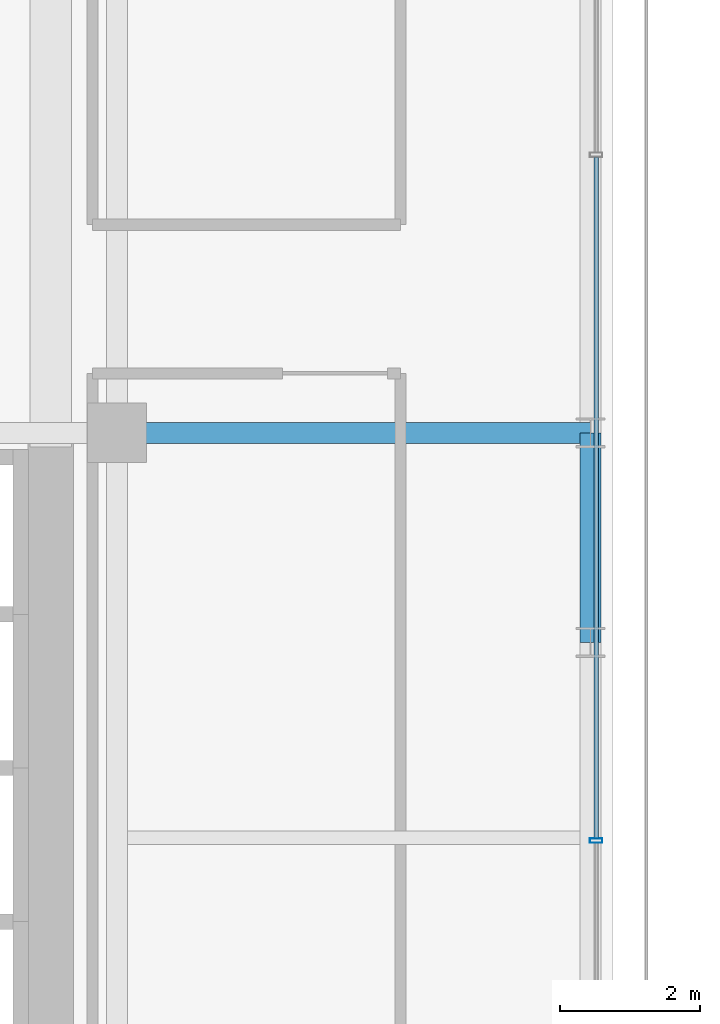
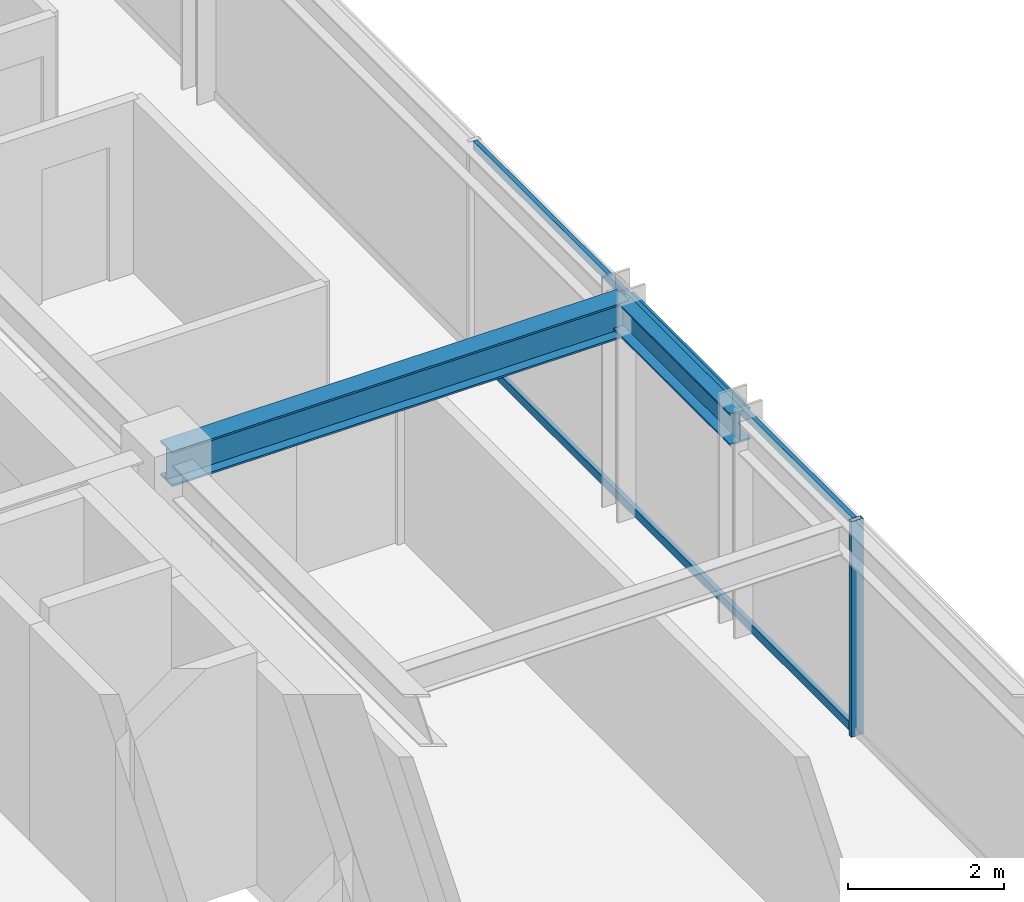
# One storey, part 14 of 34: 3 members, 2 beams, 1 element without a shape of its own.
"""IFC4 building model written with IfcOpenShell, lengths in metres."""

from ifc_helpers import new_model, si_unit, direction, frame, origin, origin_2d, place, context, subcontext, project, spatial, hollow_rectangle, i_section, extrude, source, transform, mapped, material, material_profile, profile_set, type_object, element, aggregate, save


model = new_model("IFC4")

# Units and contexts
model_context = context("Model", 3, precision=1e-05, world=origin(), true_north=direction((0.0, 1.0)))
body_context = subcontext(model_context, "Body", "Model", "MODEL_VIEW")
ifc_project = project(units=[si_unit("LENGTHUNIT", "METRE"), si_unit("AREAUNIT", "SQUARE_METRE"), si_unit("VOLUMEUNIT", "CUBIC_METRE"), si_unit("PLANEANGLEUNIT", "RADIAN"), si_unit("MASSUNIT", "GRAM", prefix="KILO")], contexts=[model_context])

# Site, building, storey
site_placement = place(None, origin())
site = spatial("IfcSite", under=ifc_project, at=site_placement, CompositionType="ELEMENT")
building_placement = place(site_placement, origin())
building = spatial("IfcBuilding", under=site, at=building_placement, Name="Nahalor Promenade Grand Hotel", CompositionType="ELEMENT")
storey_placement = place(building_placement, frame((0.0, 0.0, 88.300048828125)))
storey = spatial("IfcBuildingStorey", under=building, at=storey_placement, Name="L21", CompositionType="ELEMENT", Elevation=88.300048828125)

# Beams
ifc_material_1 = material(Name="Steel S355JR", Category="steel")
ifc_material_profile_1 = material_profile(ifc_material_1, i_section(OverallWidth=0.3, OverallDepth=0.5, WebThickness=0.0145, FlangeThickness=0.028, at=origin_2d()), Name="HEB 500")
ifc_profile_set_1 = profile_set([ifc_material_profile_1], Name="Steel S355JR")
beam_type_1 = type_object("IfcBeamType", Name="Beam-Spandrel-HEB500", PredefinedType="SPANDREL", material=ifc_profile_set_1)
shared_shape_1 = source(origin(), body_context, "Body", "SweptSolid", [
    extrude(i_section(OverallWidth=0.3, OverallDepth=0.5, WebThickness=0.0145, FlangeThickness=0.028, at=origin_2d()), origin(), (0.0, 0.0, 1.0), 3.0),
])
beam_1_placement = place(storey_placement, frame((23.780029296875, -8.39990234375, 3.1298828125), z_axis=(0.0, 1.0, 0.0), x_axis=(-1.0, 0.0, 0.0)))
element("IfcBeam", 1, at=beam_1_placement, inside=storey, type_object=beam_type_1, Name="BM-L21-SP-E-1", PredefinedType="SPANDREL", context=body_context, shape_type="MappedRepresentation", body=[
    mapped(shared_shape_1, transform((0.0, 0.0, 0.0), scale=1.0)),
])
ifc_material_profile_2 = material_profile(ifc_material_1, i_section(OverallWidth=0.3, OverallDepth=0.55, WebThickness=0.015, FlangeThickness=0.029, at=origin_2d()), Name="HEB 550")
ifc_profile_set_2 = profile_set([ifc_material_profile_2], Name="Steel S355JR")
beam_type_2 = type_object("IfcBeamType", Name="Beam-Girder-HEB550", PredefinedType="BEAM", material=ifc_profile_set_2)
shared_shape_2 = source(origin(), body_context, "Body", "SweptSolid", [
    extrude(i_section(OverallWidth=0.3, OverallDepth=0.55, WebThickness=0.015, FlangeThickness=0.029, at=origin_2d()), origin(), (0.0, 0.0, 1.0), 6.780029296875),
])
beam_2_placement = place(storey_placement, frame((17.0, -5.39990234375, 3.10498046875), z_axis=(1.0, 0.0, 0.0), x_axis=(0.0, 1.0, 0.0)))
element("IfcBeam", 2, at=beam_2_placement, inside=storey, type_object=beam_type_2, Name="BM-L21-GX-1-6", PredefinedType="BEAM", context=body_context, shape_type="MappedRepresentation", body=[
    mapped(shared_shape_2, transform((0.0, 0.0, 0.0), scale=1.0)),
])

# Curtain wall, members
ifc_material_2 = material(Name="Anodised Bronze Aluminium EN AW-6063 T6", Category="aluminium")
curtain_wall_type = type_object("IfcCurtainWallType", Name="CW2 Typical Hotel Flush Bronze Unitised Curtain Wall", PredefinedType="USERDEFINED", material=ifc_material_2)
curtain_wall_placement = place(storey_placement, origin())
curtain_wall = element("IfcCurtainWall", 3, at=curtain_wall_placement, inside=storey, type_object=curtain_wall_type, Name="L21 Curtain Wall CW-L21-E-1", ObjectType="UNITISED_CURTAIN_WALL", PredefinedType="USERDEFINED")
ifc_material_profile_3 = material_profile(ifc_material_2, hollow_rectangle(XDim=0.065, YDim=0.18, WallThickness=0.004, at=origin_2d()), Name="CWM 65x180x4")
ifc_profile_set_3 = profile_set([ifc_material_profile_3], Name="Anodised Bronze Aluminium EN AW-6063 T6")
member_type_1 = type_object("IfcMemberType", Name="CWM2 Typical Bronze Mullion 65x180", PredefinedType="MULLION", material=ifc_profile_set_3)
shared_shape_3 = source(origin(), body_context, "Body", "SweptSolid", [
    extrude(hollow_rectangle(XDim=0.065, YDim=0.18, WallThickness=0.004, at=origin_2d()), origin(), (0.0, 0.0, 1.0), 3.3798828125),
])
member_1_placement = place(storey_placement, frame((23.860107421875, -11.239990234375, 0.0), z_axis=(0.0, 0.0, 1.0), x_axis=(0.0, 1.0, 0.0)))
member_1 = element("IfcMember", 4, at=member_1_placement, type_object=member_type_1, Name="CW-L21-E-1 Mullion 1", PredefinedType="MULLION", context=body_context, shape_type="MappedRepresentation", body=[
    mapped(shared_shape_3, transform((0.0, 0.0, 0.0), scale=1.0)),
])
ifc_material_profile_4 = material_profile(ifc_material_2, hollow_rectangle(XDim=0.065, YDim=0.13, WallThickness=0.004, at=origin_2d()), Name="CWT 65x130x4")
ifc_profile_set_4 = profile_set([ifc_material_profile_4], Name="Anodised Bronze Aluminium EN AW-6063 T6")
member_type_2 = type_object("IfcMemberType", Name="CWT2 Typical Bronze Transom 65x130", PredefinedType="USERDEFINED", material=ifc_profile_set_4)
shared_shape_4 = source(origin(), body_context, "Body", "SweptSolid", [
    extrude(hollow_rectangle(XDim=0.065, YDim=0.13, WallThickness=0.004, at=origin_2d()), origin(), (0.0, 0.0, 1.0), 9.755126953125),
])
member_2_placement = place(storey_placement, frame((23.860107421875, -11.20751953125, 0.06494140625), z_axis=(0.0, 1.0, 0.0), x_axis=(-1.0, 0.0, 0.0)))
member_2 = element("IfcMember", 5, at=member_2_placement, type_object=member_type_2, Name="CW-L21-E-1 Transom 1-0", ObjectType="TRANSOM", PredefinedType="USERDEFINED", context=body_context, shape_type="MappedRepresentation", body=[
    mapped(shared_shape_4, transform((0.0, 0.0, 0.0), scale=1.0)),
])
member_3_placement = place(storey_placement, frame((23.860107421875, -11.20751953125, 3.31494140625), z_axis=(0.0, 1.0, 0.0), x_axis=(-1.0, 0.0, 0.0)))
member_3 = element("IfcMember", 6, at=member_3_placement, type_object=member_type_2, Name="CW-L21-E-1 Transom 1-1", ObjectType="TRANSOM", PredefinedType="USERDEFINED", context=body_context, shape_type="MappedRepresentation", body=[
    mapped(shared_shape_4, transform((0.0, 0.0, 0.0), scale=1.0)),
])
aggregate(curtain_wall, [member_1, member_2, member_3])

save(model, "model.ifc")
